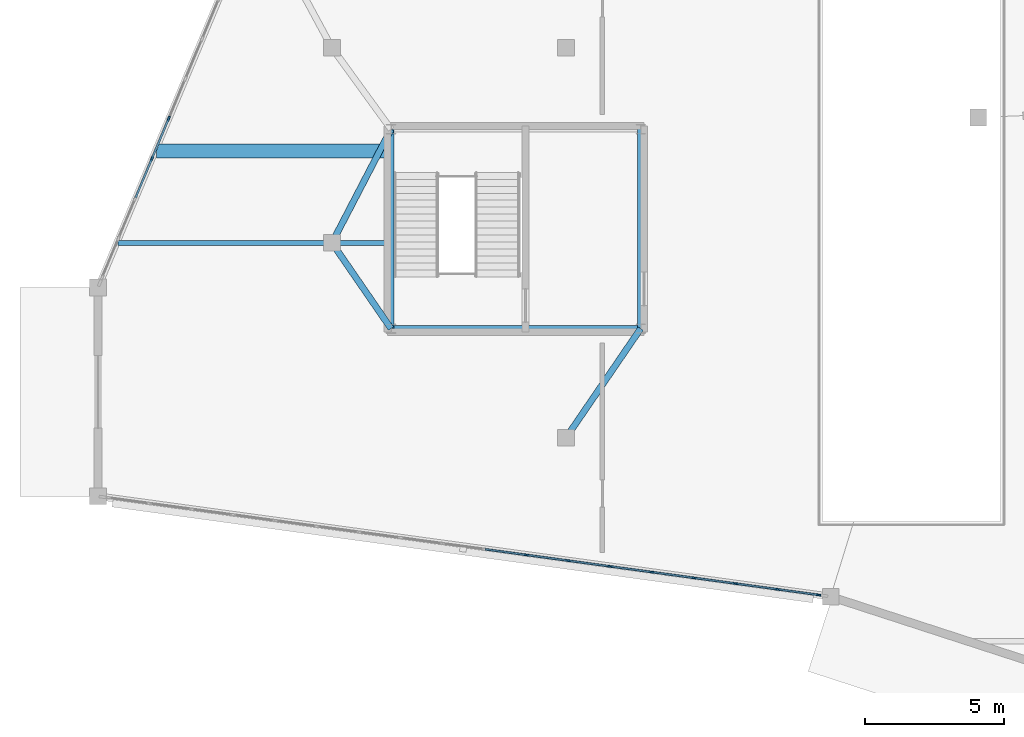
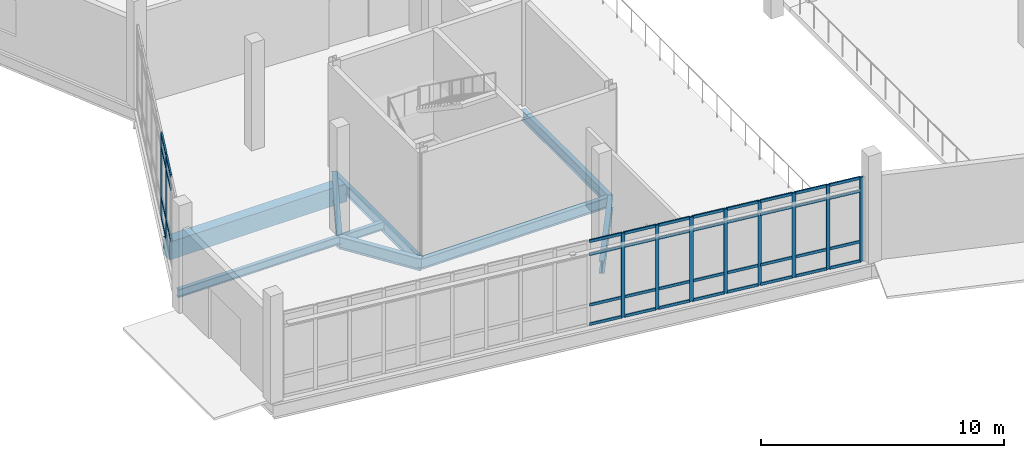
# One storey, part 44 of 113: 49 members, 8 beams, 2 elements without a shape of their own.
"""IFC4 building model written with IfcOpenShell, lengths in metres."""

from ifc_helpers import new_model, si_unit, direction, frame, origin, origin_2d, place, context, subcontext, project, spatial, rectangle, i_section, extrude, material, material_profile, profile_set, type_object, element, aggregate, save


model = new_model("IFC4")

# Units and contexts
model_context = context("Model", 3, precision=1e-05, world=origin(), true_north=direction((0.0, 1.0)))
body_context = subcontext(model_context, "Body", "Model", "MODEL_VIEW")
ifc_project = project(units=[si_unit("LENGTHUNIT", "METRE"), si_unit("AREAUNIT", "SQUARE_METRE"), si_unit("VOLUMEUNIT", "CUBIC_METRE"), si_unit("PLANEANGLEUNIT", "RADIAN"), si_unit("MASSUNIT", "GRAM", prefix="KILO")], contexts=[model_context])

# Site, building, storey
site_placement = place(None, origin())
site = spatial("IfcSite", under=ifc_project, at=site_placement, CompositionType="ELEMENT")
building_placement = place(site_placement, origin())
building = spatial("IfcBuilding", under=site, at=building_placement, Name="Tameran Prism Museum", CompositionType="ELEMENT")
storey_placement = place(building_placement, origin())
storey = spatial("IfcBuildingStorey", under=building, at=storey_placement, Name="L00", CompositionType="ELEMENT", Elevation=0.0)

# Beams
ifc_material_1 = material(Name="Steel Grade 300PLUS (300 MPa)", Category="steel")
ifc_material_profile_1 = material_profile(ifc_material_1, i_section(OverallWidth=0.177978515625, OverallDepth=0.406005859375, WebThickness=0.0078125, FlangeThickness=0.0126953125, FilletRadius=0.011474609375, at=origin_2d()))
ifc_profile_set_1 = profile_set([ifc_material_profile_1])
beam_type_1 = type_object("IfcBeamType", Name="BM-J410A", PredefinedType="JOIST", material=ifc_profile_set_1)
beam_1_placement = place(storey_placement, frame((0.714111328125, 77.0, -0.462890625), z_axis=(1.0, 0.0, 0.0), x_axis=(0.0, 1.0, 0.0)))
element("IfcBeam", 1, at=beam_1_placement, inside=storey, type_object=beam_type_1, Name="Floor Beam BM-0305", PredefinedType="JOIST", context=body_context, shape_type="SweptSolid", body=[
    extrude(i_section(OverallWidth=0.177978515625, OverallDepth=0.406005859375, WebThickness=0.0078125, FlangeThickness=0.0126953125, FilletRadius=0.011474609375, at=origin_2d()), origin(), (0.0, 0.0, 1.0), 9.805908203125),
])
ifc_material_2 = material(Name="Concrete N40 (40 MPa)", Category="concrete")
ifc_material_profile_2 = material_profile(ifc_material_2, rectangle(XDim=0.5, YDim=0.89990234375, at=origin_2d()))
ifc_profile_set_2 = profile_set([ifc_material_profile_2])
beam_type_2 = type_object("IfcBeamType", Name="BM-RC900", PredefinedType="BEAM", material=ifc_profile_set_2)
beam_2_placement = place(storey_placement, frame((2.096923828125, 80.300048828125, -0.7099609375), z_axis=(1.0, 0.0, 0.0), x_axis=(0.0, 1.0, 0.0)))
element("IfcBeam", 2, at=beam_2_placement, inside=storey, type_object=beam_type_2, Name="Floor Beam BM-0307", PredefinedType="BEAM", context=body_context, shape_type="SweptSolid", body=[
    extrude(rectangle(XDim=0.5, YDim=0.89990234375, at=origin_2d()), origin(), (0.0, 0.0, 1.0), 8.423095703125),
])
ifc_material_3 = material(Name="Steel Grade 300PLUS (300 MPa)", Category="steel")
ifc_material_profile_3 = material_profile(ifc_material_3, i_section(OverallWidth=0.208984375, OverallDepth=0.528076171875, WebThickness=0.009521484375, FlangeThickness=0.01318359375, FilletRadius=0.013916015625, at=origin_2d()))
ifc_profile_set_3 = profile_set([ifc_material_profile_3])
beam_type_3 = type_object("IfcBeamType", Name="BM-SP530B", PredefinedType="SPANDREL", material=ifc_profile_set_3)
beam_3_placement = place(storey_placement, frame((10.52001953125, 73.919921875, -0.52392578125), z_axis=(1.0, 0.0, 0.0), x_axis=(0.0, 1.0, 0.0)))
element("IfcBeam", 3, at=beam_3_placement, inside=storey, type_object=beam_type_3, Name="Core Ring Beam CTB-0134", PredefinedType="SPANDREL", context=body_context, shape_type="SweptSolid", body=[
    extrude(i_section(OverallWidth=0.208984375, OverallDepth=0.528076171875, WebThickness=0.009521484375, FlangeThickness=0.01318359375, FilletRadius=0.013916015625, at=origin_2d()), origin(), (0.0, 0.0, 1.0), 8.9599609375),
])
for number, where, z_axis, x_axis, name in (
    (4, (19.47998046875, 73.919921875, -0.52392578125), (0.0, 1.0, 0.0), (-1.0, 0.0, 0.0), "Core Ring Beam CTB-0135"),
    (5, (10.52001953125, 81.080078125, -0.52392578125), (0.0, -1.0, 0.0), (1.0, 0.0, 0.0), "Core Ring Beam CTB-0137"),
):
    element("IfcBeam", number, at=place(storey_placement, frame(where, z_axis=z_axis, x_axis=x_axis)), inside=storey, type_object=beam_type_3, Name=name, PredefinedType="SPANDREL", context=body_context, shape_type="SweptSolid", body=[
        extrude(i_section(OverallWidth=0.208984375, OverallDepth=0.528076171875, WebThickness=0.009521484375, FlangeThickness=0.01318359375, FilletRadius=0.013916015625, at=origin_2d()), origin(), (0.0, 0.0, 1.0), 7.16015625),
    ])
ifc_material_4 = material(Name="Steel Grade 300PLUS (300 MPa)", Category="steel")
ifc_material_profile_4 = material_profile(ifc_material_4, i_section(OverallWidth=0.22900390625, OverallDepth=0.612060546875, WebThickness=0.011962890625, FlangeThickness=0.01953125, FilletRadius=0.013916015625, at=origin_2d()))
ifc_profile_set_4 = profile_set([ifc_material_profile_4])
beam_type_4 = type_object("IfcBeamType", Name="BM-UB610A", PredefinedType="BEAM", material=ifc_profile_set_4)
beam_4_placement = place(storey_placement, frame((8.39990234375, 77.0, -0.56591796875), z_axis=(0.566994261507, -0.823721741499, 0.0), x_axis=(0.823721741499, 0.566994261507, 0.0)))
element("IfcBeam", 6, at=beam_4_placement, inside=storey, type_object=beam_type_4, Name="Frame Tie Girder FG-1343", PredefinedType="BEAM", context=body_context, shape_type="SweptSolid", body=[
    extrude(i_section(OverallWidth=0.22900390625, OverallDepth=0.612060546875, WebThickness=0.011962890625, FlangeThickness=0.01953125, FilletRadius=0.013916015625, at=origin_2d()), origin(), (0.0, 0.0, 1.0), 3.7392578125),
])
beam_5_placement = place(storey_placement, frame((8.39990234375, 77.0, -0.56591796875), z_axis=(0.461091914182, 0.887352380217, 0.0), x_axis=(-0.887352380217, 0.461091914182, 0.0)))
element("IfcBeam", 7, at=beam_5_placement, inside=storey, type_object=beam_type_4, Name="Frame Tie Girder FG-1344", PredefinedType="BEAM", context=body_context, shape_type="SweptSolid", body=[
    extrude(i_section(OverallWidth=0.22900390625, OverallDepth=0.612060546875, WebThickness=0.011962890625, FlangeThickness=0.01953125, FilletRadius=0.013916015625, at=origin_2d()), origin(), (0.0, 0.0, 1.0), 4.59814453125),
])
beam_6_placement = place(storey_placement, frame((16.800048828125, 70.0, -0.56591796875), z_axis=(0.564379754133, 0.825515289456, 0.0), x_axis=(-0.825515289456, 0.564379754133, 0.0)))
element("IfcBeam", 8, at=beam_6_placement, inside=storey, type_object=beam_type_4, Name="Frame Tie Girder FG-1355", PredefinedType="BEAM", context=body_context, shape_type="SweptSolid", body=[
    extrude(i_section(OverallWidth=0.22900390625, OverallDepth=0.612060546875, WebThickness=0.011962890625, FlangeThickness=0.01953125, FilletRadius=0.013916015625, at=origin_2d()), origin(), (0.0, 0.0, 1.0), 4.74853515625),
])

# Curtain wall, members
ifc_material_5 = material(Name="Anodised Aluminium 6063-T6 and Cyclone Solar Glass", Category="aluminium")
curtain_wall_type_1 = type_object("IfcCurtainWallType", Name="CW-FAC-2579x422", PredefinedType="USERDEFINED", material=ifc_material_5)
curtain_wall_1_placement = place(storey_placement, origin())
curtain_wall_1 = element("IfcCurtainWall", 9, at=curtain_wall_1_placement, inside=storey, type_object=curtain_wall_type_1, Name="Unitised Curtain Wall CW-051", ObjectType="UNITISED CURTAIN WALL", PredefinedType="USERDEFINED")
ifc_material_6 = material(Name="Anodised Aluminium Alloy 6063-T6", Category="aluminium")
ifc_material_profile_5 = material_profile(ifc_material_6, rectangle(XDim=0.06494140625, YDim=0.159912109375, at=origin_2d()))
ifc_profile_set_5 = profile_set([ifc_material_profile_5])
member_type_1 = type_object("IfcMemberType", Name="CW-MUL-A", PredefinedType="MULLION", material=ifc_profile_set_5)
member_1_placement = place(storey_placement, frame((25.86181640625, 64.359375, 0.0), z_axis=(0.0, 0.0, 1.0), x_axis=(-0.135658330466, -0.990755679961, 0.0)))
member_1 = element("IfcMember", 10, at=member_1_placement, type_object=member_type_1, Name="CW-051 mullion 1", PredefinedType="MULLION", context=body_context, shape_type="SweptSolid", body=[
    extrude(rectangle(XDim=0.06494140625, YDim=0.159912109375, at=origin_2d()), origin(), (0.0, 0.0, 1.0), 4.219970703125),
])
member_2_placement = place(storey_placement, frame((24.39111328125, 64.560791015625, 0.0), z_axis=(0.0, 0.0, 1.0), x_axis=(-0.135658330466, -0.990755679961, 0.0)))
member_2 = element("IfcMember", 11, at=member_2_placement, type_object=member_type_1, Name="CW-051 mullion 2", PredefinedType="MULLION", context=body_context, shape_type="SweptSolid", body=[
    extrude(rectangle(XDim=0.06494140625, YDim=0.159912109375, at=origin_2d()), origin(), (0.0, 0.0, 1.0), 4.219970703125),
])
member_3_placement = place(storey_placement, frame((22.888427734375, 64.7666015625, 0.0), z_axis=(0.0, 0.0, 1.0), x_axis=(-0.135658330466, -0.990755679961, 0.0)))
member_3 = element("IfcMember", 12, at=member_3_placement, type_object=member_type_1, Name="CW-051 mullion 3", PredefinedType="MULLION", context=body_context, shape_type="SweptSolid", body=[
    extrude(rectangle(XDim=0.06494140625, YDim=0.159912109375, at=origin_2d()), origin(), (0.0, 0.0, 1.0), 4.219970703125),
])
member_4_placement = place(storey_placement, frame((21.3857421875, 64.972412109375, 0.0), z_axis=(0.0, 0.0, 1.0), x_axis=(-0.135658330466, -0.990755679961, 0.0)))
member_4 = element("IfcMember", 13, at=member_4_placement, type_object=member_type_1, Name="CW-051 mullion 4", PredefinedType="MULLION", context=body_context, shape_type="SweptSolid", body=[
    extrude(rectangle(XDim=0.06494140625, YDim=0.159912109375, at=origin_2d()), origin(), (0.0, 0.0, 1.0), 4.219970703125),
])
member_5_placement = place(storey_placement, frame((19.883056640625, 65.177978515625, 0.0), z_axis=(0.0, 0.0, 1.0), x_axis=(-0.135658330466, -0.990755679961, 0.0)))
member_5 = element("IfcMember", 14, at=member_5_placement, type_object=member_type_1, Name="CW-051 mullion 5", PredefinedType="MULLION", context=body_context, shape_type="SweptSolid", body=[
    extrude(rectangle(XDim=0.06494140625, YDim=0.159912109375, at=origin_2d()), origin(), (0.0, 0.0, 1.0), 4.219970703125),
])
member_6_placement = place(storey_placement, frame((18.380126953125, 65.3837890625, 0.0), z_axis=(0.0, 0.0, 1.0), x_axis=(-0.135658330466, -0.990755679961, 0.0)))
member_6 = element("IfcMember", 15, at=member_6_placement, type_object=member_type_1, Name="CW-051 mullion 6", PredefinedType="MULLION", context=body_context, shape_type="SweptSolid", body=[
    extrude(rectangle(XDim=0.06494140625, YDim=0.159912109375, at=origin_2d()), origin(), (0.0, 0.0, 1.0), 4.219970703125),
])
member_7_placement = place(storey_placement, frame((16.87744140625, 65.589599609375, 0.0), z_axis=(0.0, 0.0, 1.0), x_axis=(-0.135658330466, -0.990755679961, 0.0)))
member_7 = element("IfcMember", 16, at=member_7_placement, type_object=member_type_1, Name="CW-051 mullion 7", PredefinedType="MULLION", context=body_context, shape_type="SweptSolid", body=[
    extrude(rectangle(XDim=0.06494140625, YDim=0.159912109375, at=origin_2d()), origin(), (0.0, 0.0, 1.0), 4.219970703125),
])
member_8_placement = place(storey_placement, frame((15.374755859375, 65.79541015625, 0.0), z_axis=(0.0, 0.0, 1.0), x_axis=(-0.135658330466, -0.990755679961, 0.0)))
member_8 = element("IfcMember", 17, at=member_8_placement, type_object=member_type_1, Name="CW-051 mullion 8", PredefinedType="MULLION", context=body_context, shape_type="SweptSolid", body=[
    extrude(rectangle(XDim=0.06494140625, YDim=0.159912109375, at=origin_2d()), origin(), (0.0, 0.0, 1.0), 4.219970703125),
])

ifc_material_7 = material(Name="Anodised Aluminium 6063-T6 and Cyclone Solar Glass", Category="aluminium")
curtain_wall_type_2 = type_object("IfcCurtainWallType", Name="CW-FAC-1399x422", PredefinedType="USERDEFINED", material=ifc_material_7)
curtain_wall_2_placement = place(storey_placement, origin())
curtain_wall_2 = element("IfcCurtainWall", 18, at=curtain_wall_2_placement, inside=storey, type_object=curtain_wall_type_2, Name="Unitised Curtain Wall CW-052", ObjectType="UNITISED CURTAIN WALL", PredefinedType="USERDEFINED")
ifc_material_8 = material(Name="Anodised Aluminium Alloy 6063-T6", Category="aluminium")
ifc_material_profile_6 = material_profile(ifc_material_8, rectangle(XDim=0.070068359375, YDim=0.179931640625, at=origin_2d()))
ifc_profile_set_6 = profile_set([ifc_material_profile_6])
member_type_2 = type_object("IfcMemberType", Name="CW-MUL-B", PredefinedType="MULLION", material=ifc_profile_set_6)
member_9_placement = place(storey_placement, frame((1.937255859375, 80.022705078125, 0.0), z_axis=(0.0, 0.0, 1.0), x_axis=(-0.922251949595, 0.386589370609, 0.0)))
member_9 = element("IfcMember", 19, at=member_9_placement, type_object=member_type_2, Name="CW-052 mullion 4", PredefinedType="MULLION", context=body_context, shape_type="SweptSolid", body=[
    extrude(rectangle(XDim=0.070068359375, YDim=0.179931640625, at=origin_2d()), origin(), (0.0, 0.0, 1.0), 4.219970703125),
])
member_10_placement = place(storey_placement, frame((2.5380859375, 81.455810546875, 0.0), z_axis=(0.0, 0.0, 1.0), x_axis=(-0.922251949595, 0.386589370609, 0.0)))
member_10 = element("IfcMember", 20, at=member_10_placement, type_object=member_type_2, Name="CW-052 mullion 5", PredefinedType="MULLION", context=body_context, shape_type="SweptSolid", body=[
    extrude(rectangle(XDim=0.070068359375, YDim=0.179931640625, at=origin_2d()), origin(), (0.0, 0.0, 1.0), 4.219970703125),
])

# Member
ifc_material_9 = material(Name="Anodised Aluminium Alloy 6063-T6", Category="aluminium")
ifc_material_profile_7 = material_profile(ifc_material_9, rectangle(XDim=0.06494140625, YDim=0.139892578125, at=origin_2d()))
ifc_profile_set_7 = profile_set([ifc_material_profile_7])
member_type_3 = type_object("IfcMemberType", Name="CW-TRN-A", PredefinedType="USERDEFINED", material=ifc_profile_set_7)
member_11_placement = place(storey_placement, frame((25.82958984375, 64.36376953125, 0.032470703125), z_axis=(-0.990748345882, 0.135711882795, 0.0), x_axis=(-0.135711882795, -0.990748345882, 0.0)))
member_11 = element("IfcMember", 21, at=member_11_placement, type_object=member_type_3, Name="CW-051 transom 1.1", ObjectType="TRANSOM", PredefinedType="USERDEFINED", context=body_context, shape_type="SweptSolid", body=[
    extrude(rectangle(XDim=0.06494140625, YDim=0.139892578125, at=origin_2d()), origin(), (0.0, 0.0, 1.0), 1.41943359375),
])

member_12_placement = place(storey_placement, frame((25.82958984375, 64.36376953125, 1.0), z_axis=(-0.990748345882, 0.135711882795, 0.0), x_axis=(-0.135711882795, -0.990748345882, 0.0)))
member_12 = element("IfcMember", 22, at=member_12_placement, type_object=member_type_3, Name="CW-051 transom 1.2", ObjectType="TRANSOM", PredefinedType="USERDEFINED", context=body_context, shape_type="SweptSolid", body=[
    extrude(rectangle(XDim=0.06494140625, YDim=0.139892578125, at=origin_2d()), origin(), (0.0, 0.0, 1.0), 1.41943359375),
])

member_13_placement = place(storey_placement, frame((25.82958984375, 64.36376953125, 3.5400390625), z_axis=(-0.990748345882, 0.135711882795, 0.0), x_axis=(-0.135711882795, -0.990748345882, 0.0)))
member_13 = element("IfcMember", 23, at=member_13_placement, type_object=member_type_3, Name="CW-051 transom 1.3", ObjectType="TRANSOM", PredefinedType="USERDEFINED", context=body_context, shape_type="SweptSolid", body=[
    extrude(rectangle(XDim=0.06494140625, YDim=0.139892578125, at=origin_2d()), origin(), (0.0, 0.0, 1.0), 1.41943359375),
])

member_14_placement = place(storey_placement, frame((25.82958984375, 64.36376953125, 4.1875), z_axis=(-0.990748345882, 0.135711882795, 0.0), x_axis=(-0.135711882795, -0.990748345882, 0.0)))
member_14 = element("IfcMember", 24, at=member_14_placement, type_object=member_type_3, Name="CW-051 transom 1.4", ObjectType="TRANSOM", PredefinedType="USERDEFINED", context=body_context, shape_type="SweptSolid", body=[
    extrude(rectangle(XDim=0.06494140625, YDim=0.139892578125, at=origin_2d()), origin(), (0.0, 0.0, 1.0), 1.41943359375),
])

member_15_placement = place(storey_placement, frame((24.359130859375, 64.565185546875, 0.032470703125), z_axis=(-0.990750182778, 0.135698472081, 0.0), x_axis=(-0.135698472081, -0.990750182778, 0.0)))
member_15 = element("IfcMember", 25, at=member_15_placement, type_object=member_type_3, Name="CW-051 transom 2.1", ObjectType="TRANSOM", PredefinedType="USERDEFINED", context=body_context, shape_type="SweptSolid", body=[
    extrude(rectangle(XDim=0.06494140625, YDim=0.139892578125, at=origin_2d()), origin(), (0.0, 0.0, 1.0), 1.451904296875),
])

member_16_placement = place(storey_placement, frame((24.359130859375, 64.565185546875, 1.0), z_axis=(-0.990750182778, 0.135698472081, 0.0), x_axis=(-0.135698472081, -0.990750182778, 0.0)))
member_16 = element("IfcMember", 26, at=member_16_placement, type_object=member_type_3, Name="CW-051 transom 2.2", ObjectType="TRANSOM", PredefinedType="USERDEFINED", context=body_context, shape_type="SweptSolid", body=[
    extrude(rectangle(XDim=0.06494140625, YDim=0.139892578125, at=origin_2d()), origin(), (0.0, 0.0, 1.0), 1.451904296875),
])

member_17_placement = place(storey_placement, frame((24.359130859375, 64.565185546875, 3.5400390625), z_axis=(-0.990750182778, 0.135698472081, 0.0), x_axis=(-0.135698472081, -0.990750182778, 0.0)))
member_17 = element("IfcMember", 27, at=member_17_placement, type_object=member_type_3, Name="CW-051 transom 2.3", ObjectType="TRANSOM", PredefinedType="USERDEFINED", context=body_context, shape_type="SweptSolid", body=[
    extrude(rectangle(XDim=0.06494140625, YDim=0.139892578125, at=origin_2d()), origin(), (0.0, 0.0, 1.0), 1.451904296875),
])

member_18_placement = place(storey_placement, frame((24.359130859375, 64.565185546875, 4.1875), z_axis=(-0.990750182778, 0.135698472081, 0.0), x_axis=(-0.135698472081, -0.990750182778, 0.0)))
member_18 = element("IfcMember", 28, at=member_18_placement, type_object=member_type_3, Name="CW-051 transom 2.4", ObjectType="TRANSOM", PredefinedType="USERDEFINED", context=body_context, shape_type="SweptSolid", body=[
    extrude(rectangle(XDim=0.06494140625, YDim=0.139892578125, at=origin_2d()), origin(), (0.0, 0.0, 1.0), 1.451904296875),
])

member_19_placement = place(storey_placement, frame((22.856201171875, 64.77099609375, 0.032470703125), z_axis=(-0.990769686746, 0.135555995165, 0.0), x_axis=(-0.135555995165, -0.990769686746, 0.0)))
member_19 = element("IfcMember", 29, at=member_19_placement, type_object=member_type_3, Name="CW-051 transom 3.1", ObjectType="TRANSOM", PredefinedType="USERDEFINED", context=body_context, shape_type="SweptSolid", body=[
    extrude(rectangle(XDim=0.06494140625, YDim=0.139892578125, at=origin_2d()), origin(), (0.0, 0.0, 1.0), 1.45166015625),
])

member_20_placement = place(storey_placement, frame((22.856201171875, 64.77099609375, 1.0), z_axis=(-0.990769686746, 0.135555995165, 0.0), x_axis=(-0.135555995165, -0.990769686746, 0.0)))
member_20 = element("IfcMember", 30, at=member_20_placement, type_object=member_type_3, Name="CW-051 transom 3.2", ObjectType="TRANSOM", PredefinedType="USERDEFINED", context=body_context, shape_type="SweptSolid", body=[
    extrude(rectangle(XDim=0.06494140625, YDim=0.139892578125, at=origin_2d()), origin(), (0.0, 0.0, 1.0), 1.45166015625),
])

member_21_placement = place(storey_placement, frame((22.856201171875, 64.77099609375, 3.5400390625), z_axis=(-0.990769686746, 0.135555995165, 0.0), x_axis=(-0.135555995165, -0.990769686746, 0.0)))
member_21 = element("IfcMember", 31, at=member_21_placement, type_object=member_type_3, Name="CW-051 transom 3.3", ObjectType="TRANSOM", PredefinedType="USERDEFINED", context=body_context, shape_type="SweptSolid", body=[
    extrude(rectangle(XDim=0.06494140625, YDim=0.139892578125, at=origin_2d()), origin(), (0.0, 0.0, 1.0), 1.45166015625),
])

member_22_placement = place(storey_placement, frame((22.856201171875, 64.77099609375, 4.1875), z_axis=(-0.990769686746, 0.135555995165, 0.0), x_axis=(-0.135555995165, -0.990769686746, 0.0)))
member_22 = element("IfcMember", 32, at=member_22_placement, type_object=member_type_3, Name="CW-051 transom 3.4", ObjectType="TRANSOM", PredefinedType="USERDEFINED", context=body_context, shape_type="SweptSolid", body=[
    extrude(rectangle(XDim=0.06494140625, YDim=0.139892578125, at=origin_2d()), origin(), (0.0, 0.0, 1.0), 1.45166015625),
])

member_23_placement = place(storey_placement, frame((21.353515625, 64.976806640625, 0.032470703125), z_axis=(-0.99077277642, 0.135533411031, 0.0), x_axis=(-0.135533411031, -0.99077277642, 0.0)))
member_23 = element("IfcMember", 33, at=member_23_placement, type_object=member_type_3, Name="CW-051 transom 4.1", ObjectType="TRANSOM", PredefinedType="USERDEFINED", context=body_context, shape_type="SweptSolid", body=[
    extrude(rectangle(XDim=0.06494140625, YDim=0.139892578125, at=origin_2d()), origin(), (0.0, 0.0, 1.0), 1.451904296875),
])

member_24_placement = place(storey_placement, frame((21.353515625, 64.976806640625, 1.0), z_axis=(-0.99077277642, 0.135533411031, 0.0), x_axis=(-0.135533411031, -0.99077277642, 0.0)))
member_24 = element("IfcMember", 34, at=member_24_placement, type_object=member_type_3, Name="CW-051 transom 4.2", ObjectType="TRANSOM", PredefinedType="USERDEFINED", context=body_context, shape_type="SweptSolid", body=[
    extrude(rectangle(XDim=0.06494140625, YDim=0.139892578125, at=origin_2d()), origin(), (0.0, 0.0, 1.0), 1.451904296875),
])

member_25_placement = place(storey_placement, frame((21.353515625, 64.976806640625, 3.5400390625), z_axis=(-0.99077277642, 0.135533411031, 0.0), x_axis=(-0.135533411031, -0.99077277642, 0.0)))
member_25 = element("IfcMember", 35, at=member_25_placement, type_object=member_type_3, Name="CW-051 transom 4.3", ObjectType="TRANSOM", PredefinedType="USERDEFINED", context=body_context, shape_type="SweptSolid", body=[
    extrude(rectangle(XDim=0.06494140625, YDim=0.139892578125, at=origin_2d()), origin(), (0.0, 0.0, 1.0), 1.451904296875),
])

member_26_placement = place(storey_placement, frame((21.353515625, 64.976806640625, 4.1875), z_axis=(-0.99077277642, 0.135533411031, 0.0), x_axis=(-0.135533411031, -0.99077277642, 0.0)))
member_26 = element("IfcMember", 36, at=member_26_placement, type_object=member_type_3, Name="CW-051 transom 4.4", ObjectType="TRANSOM", PredefinedType="USERDEFINED", context=body_context, shape_type="SweptSolid", body=[
    extrude(rectangle(XDim=0.06494140625, YDim=0.139892578125, at=origin_2d()), origin(), (0.0, 0.0, 1.0), 1.451904296875),
])

member_27_placement = place(storey_placement, frame((19.850830078125, 65.182373046875, 0.032470703125), z_axis=(-0.990750182778, 0.135698472081, 0.0), x_axis=(-0.135698472081, -0.990750182778, 0.0)))
member_27 = element("IfcMember", 37, at=member_27_placement, type_object=member_type_3, Name="CW-051 transom 5.1", ObjectType="TRANSOM", PredefinedType="USERDEFINED", context=body_context, shape_type="SweptSolid", body=[
    extrude(rectangle(XDim=0.06494140625, YDim=0.139892578125, at=origin_2d()), origin(), (0.0, 0.0, 1.0), 1.451904296875),
])

member_28_placement = place(storey_placement, frame((19.850830078125, 65.182373046875, 1.0), z_axis=(-0.990750182778, 0.135698472081, 0.0), x_axis=(-0.135698472081, -0.990750182778, 0.0)))
member_28 = element("IfcMember", 38, at=member_28_placement, type_object=member_type_3, Name="CW-051 transom 5.2", ObjectType="TRANSOM", PredefinedType="USERDEFINED", context=body_context, shape_type="SweptSolid", body=[
    extrude(rectangle(XDim=0.06494140625, YDim=0.139892578125, at=origin_2d()), origin(), (0.0, 0.0, 1.0), 1.451904296875),
])

member_29_placement = place(storey_placement, frame((19.850830078125, 65.182373046875, 3.5400390625), z_axis=(-0.990750182778, 0.135698472081, 0.0), x_axis=(-0.135698472081, -0.990750182778, 0.0)))
member_29 = element("IfcMember", 39, at=member_29_placement, type_object=member_type_3, Name="CW-051 transom 5.3", ObjectType="TRANSOM", PredefinedType="USERDEFINED", context=body_context, shape_type="SweptSolid", body=[
    extrude(rectangle(XDim=0.06494140625, YDim=0.139892578125, at=origin_2d()), origin(), (0.0, 0.0, 1.0), 1.451904296875),
])

member_30_placement = place(storey_placement, frame((19.850830078125, 65.182373046875, 4.1875), z_axis=(-0.990750182778, 0.135698472081, 0.0), x_axis=(-0.135698472081, -0.990750182778, 0.0)))
member_30 = element("IfcMember", 40, at=member_30_placement, type_object=member_type_3, Name="CW-051 transom 5.4", ObjectType="TRANSOM", PredefinedType="USERDEFINED", context=body_context, shape_type="SweptSolid", body=[
    extrude(rectangle(XDim=0.06494140625, YDim=0.139892578125, at=origin_2d()), origin(), (0.0, 0.0, 1.0), 1.451904296875),
])

member_31_placement = place(storey_placement, frame((18.347900390625, 65.38818359375, 0.032470703125), z_axis=(-0.990747085645, 0.135721082688, 0.0), x_axis=(-0.135721082688, -0.990747085645, 0.0)))
member_31 = element("IfcMember", 41, at=member_31_placement, type_object=member_type_3, Name="CW-051 transom 6.1", ObjectType="TRANSOM", PredefinedType="USERDEFINED", context=body_context, shape_type="SweptSolid", body=[
    extrude(rectangle(XDim=0.06494140625, YDim=0.139892578125, at=origin_2d()), origin(), (0.0, 0.0, 1.0), 1.45166015625),
])

member_32_placement = place(storey_placement, frame((18.347900390625, 65.38818359375, 1.0), z_axis=(-0.990747085645, 0.135721082688, 0.0), x_axis=(-0.135721082688, -0.990747085645, 0.0)))
member_32 = element("IfcMember", 42, at=member_32_placement, type_object=member_type_3, Name="CW-051 transom 6.2", ObjectType="TRANSOM", PredefinedType="USERDEFINED", context=body_context, shape_type="SweptSolid", body=[
    extrude(rectangle(XDim=0.06494140625, YDim=0.139892578125, at=origin_2d()), origin(), (0.0, 0.0, 1.0), 1.45166015625),
])

member_33_placement = place(storey_placement, frame((18.347900390625, 65.38818359375, 3.5400390625), z_axis=(-0.990747085645, 0.135721082688, 0.0), x_axis=(-0.135721082688, -0.990747085645, 0.0)))
member_33 = element("IfcMember", 43, at=member_33_placement, type_object=member_type_3, Name="CW-051 transom 6.3", ObjectType="TRANSOM", PredefinedType="USERDEFINED", context=body_context, shape_type="SweptSolid", body=[
    extrude(rectangle(XDim=0.06494140625, YDim=0.139892578125, at=origin_2d()), origin(), (0.0, 0.0, 1.0), 1.45166015625),
])

member_34_placement = place(storey_placement, frame((18.347900390625, 65.38818359375, 4.1875), z_axis=(-0.990747085645, 0.135721082688, 0.0), x_axis=(-0.135721082688, -0.990747085645, 0.0)))
member_34 = element("IfcMember", 44, at=member_34_placement, type_object=member_type_3, Name="CW-051 transom 6.4", ObjectType="TRANSOM", PredefinedType="USERDEFINED", context=body_context, shape_type="SweptSolid", body=[
    extrude(rectangle(XDim=0.06494140625, YDim=0.139892578125, at=origin_2d()), origin(), (0.0, 0.0, 1.0), 1.45166015625),
])

member_35_placement = place(storey_placement, frame((16.84521484375, 65.593994140625, 0.032470703125), z_axis=(-0.990750182778, 0.135698472081, 0.0), x_axis=(-0.135698472081, -0.990750182778, 0.0)))
member_35 = element("IfcMember", 45, at=member_35_placement, type_object=member_type_3, Name="CW-051 transom 7.1", ObjectType="TRANSOM", PredefinedType="USERDEFINED", context=body_context, shape_type="SweptSolid", body=[
    extrude(rectangle(XDim=0.06494140625, YDim=0.139892578125, at=origin_2d()), origin(), (0.0, 0.0, 1.0), 1.451904296875),
])

member_36_placement = place(storey_placement, frame((16.84521484375, 65.593994140625, 1.0), z_axis=(-0.990750182778, 0.135698472081, 0.0), x_axis=(-0.135698472081, -0.990750182778, 0.0)))
member_36 = element("IfcMember", 46, at=member_36_placement, type_object=member_type_3, Name="CW-051 transom 7.2", ObjectType="TRANSOM", PredefinedType="USERDEFINED", context=body_context, shape_type="SweptSolid", body=[
    extrude(rectangle(XDim=0.06494140625, YDim=0.139892578125, at=origin_2d()), origin(), (0.0, 0.0, 1.0), 1.451904296875),
])

member_37_placement = place(storey_placement, frame((16.84521484375, 65.593994140625, 3.5400390625), z_axis=(-0.990750182778, 0.135698472081, 0.0), x_axis=(-0.135698472081, -0.990750182778, 0.0)))
member_37 = element("IfcMember", 47, at=member_37_placement, type_object=member_type_3, Name="CW-051 transom 7.3", ObjectType="TRANSOM", PredefinedType="USERDEFINED", context=body_context, shape_type="SweptSolid", body=[
    extrude(rectangle(XDim=0.06494140625, YDim=0.139892578125, at=origin_2d()), origin(), (0.0, 0.0, 1.0), 1.451904296875),
])

member_38_placement = place(storey_placement, frame((16.84521484375, 65.593994140625, 4.1875), z_axis=(-0.990750182778, 0.135698472081, 0.0), x_axis=(-0.135698472081, -0.990750182778, 0.0)))
member_38 = element("IfcMember", 48, at=member_38_placement, type_object=member_type_3, Name="CW-051 transom 7.4", ObjectType="TRANSOM", PredefinedType="USERDEFINED", context=body_context, shape_type="SweptSolid", body=[
    extrude(rectangle(XDim=0.06494140625, YDim=0.139892578125, at=origin_2d()), origin(), (0.0, 0.0, 1.0), 1.451904296875),
])

member_39_placement = place(storey_placement, frame((15.342529296875, 65.7998046875, 0.032470703125), z_axis=(-0.990750182778, 0.135698472081, 0.0), x_axis=(-0.135698472081, -0.990750182778, 0.0)))
member_39 = element("IfcMember", 49, at=member_39_placement, type_object=member_type_3, Name="CW-051 transom 8.1", ObjectType="TRANSOM", PredefinedType="USERDEFINED", context=body_context, shape_type="SweptSolid", body=[
    extrude(rectangle(XDim=0.06494140625, YDim=0.139892578125, at=origin_2d()), origin(), (0.0, 0.0, 1.0), 1.451904296875),
])

member_40_placement = place(storey_placement, frame((15.342529296875, 65.7998046875, 1.0), z_axis=(-0.990750182778, 0.135698472081, 0.0), x_axis=(-0.135698472081, -0.990750182778, 0.0)))
member_40 = element("IfcMember", 50, at=member_40_placement, type_object=member_type_3, Name="CW-051 transom 8.2", ObjectType="TRANSOM", PredefinedType="USERDEFINED", context=body_context, shape_type="SweptSolid", body=[
    extrude(rectangle(XDim=0.06494140625, YDim=0.139892578125, at=origin_2d()), origin(), (0.0, 0.0, 1.0), 1.451904296875),
])

member_41_placement = place(storey_placement, frame((15.342529296875, 65.7998046875, 3.5400390625), z_axis=(-0.990750182778, 0.135698472081, 0.0), x_axis=(-0.135698472081, -0.990750182778, 0.0)))
member_41 = element("IfcMember", 51, at=member_41_placement, type_object=member_type_3, Name="CW-051 transom 8.3", ObjectType="TRANSOM", PredefinedType="USERDEFINED", context=body_context, shape_type="SweptSolid", body=[
    extrude(rectangle(XDim=0.06494140625, YDim=0.139892578125, at=origin_2d()), origin(), (0.0, 0.0, 1.0), 1.451904296875),
])

member_42_placement = place(storey_placement, frame((15.342529296875, 65.7998046875, 4.1875), z_axis=(-0.990750182778, 0.135698472081, 0.0), x_axis=(-0.135698472081, -0.990750182778, 0.0)))
member_42 = element("IfcMember", 52, at=member_42_placement, type_object=member_type_3, Name="CW-051 transom 8.4", ObjectType="TRANSOM", PredefinedType="USERDEFINED", context=body_context, shape_type="SweptSolid", body=[
    extrude(rectangle(XDim=0.06494140625, YDim=0.139892578125, at=origin_2d()), origin(), (0.0, 0.0, 1.0), 1.451904296875),
])

aggregate(curtain_wall_1, [member_1, member_2, member_3, member_4, member_5, member_6, member_7, member_8, member_11, member_12, member_13, member_14, member_15, member_16, member_17, member_18, member_19, member_20, member_21, member_22, member_23, member_24, member_25, member_26, member_27, member_28, member_29, member_30, member_31, member_32, member_33, member_34, member_35, member_36, member_37, member_38, member_39, member_40, member_41, member_42])

ifc_material_10 = material(Name="Anodised Aluminium Alloy 6063-T6", Category="aluminium")
ifc_material_profile_8 = material_profile(ifc_material_10, rectangle(XDim=0.070068359375, YDim=0.155029296875, at=origin_2d()))
ifc_profile_set_8 = profile_set([ifc_material_profile_8])
member_type_4 = type_object("IfcMemberType", Name="CW-TRN-B", PredefinedType="USERDEFINED", material=ifc_profile_set_8)
member_43_placement = place(storey_placement, frame((1.35009765625, 78.621826171875, 1.0), z_axis=(0.386600305056, 0.92224736602, 0.0), x_axis=(-0.92224736602, 0.386600305056, 0.0)))
member_43 = element("IfcMember", 53, at=member_43_placement, type_object=member_type_4, Name="CW-052 transom 3.2", ObjectType="TRANSOM", PredefinedType="USERDEFINED", context=body_context, shape_type="SweptSolid", body=[
    extrude(rectangle(XDim=0.070068359375, YDim=0.155029296875, at=origin_2d()), origin(), (0.0, 0.0, 1.0), 1.484130859375),
])

member_44_placement = place(storey_placement, frame((1.35009765625, 78.621826171875, 3.5400390625), z_axis=(0.386600305056, 0.92224736602, 0.0), x_axis=(-0.92224736602, 0.386600305056, 0.0)))
member_44 = element("IfcMember", 54, at=member_44_placement, type_object=member_type_4, Name="CW-052 transom 3.3", ObjectType="TRANSOM", PredefinedType="USERDEFINED", context=body_context, shape_type="SweptSolid", body=[
    extrude(rectangle(XDim=0.070068359375, YDim=0.155029296875, at=origin_2d()), origin(), (0.0, 0.0, 1.0), 1.484130859375),
])

member_45_placement = place(storey_placement, frame((1.35009765625, 78.621826171875, 4.18505859375), z_axis=(0.386600305056, 0.92224736602, 0.0), x_axis=(-0.92224736602, 0.386600305056, 0.0)))
member_45 = element("IfcMember", 55, at=member_45_placement, type_object=member_type_4, Name="CW-052 transom 3.4", ObjectType="TRANSOM", PredefinedType="USERDEFINED", context=body_context, shape_type="SweptSolid", body=[
    extrude(rectangle(XDim=0.070068359375, YDim=0.155029296875, at=origin_2d()), origin(), (0.0, 0.0, 1.0), 1.484130859375),
])

member_46_placement = place(storey_placement, frame((1.950927734375, 80.054931640625, 0.034912109375), z_axis=(0.386600305056, 0.92224736602, 0.0), x_axis=(-0.92224736602, 0.386600305056, 0.0)))
member_46 = element("IfcMember", 56, at=member_46_placement, type_object=member_type_4, Name="CW-052 transom 4.1", ObjectType="TRANSOM", PredefinedType="USERDEFINED", context=body_context, shape_type="SweptSolid", body=[
    extrude(rectangle(XDim=0.070068359375, YDim=0.155029296875, at=origin_2d()), origin(), (0.0, 0.0, 1.0), 1.484130859375),
])

member_47_placement = place(storey_placement, frame((1.950927734375, 80.054931640625, 1.0), z_axis=(0.386600305056, 0.92224736602, 0.0), x_axis=(-0.92224736602, 0.386600305056, 0.0)))
member_47 = element("IfcMember", 57, at=member_47_placement, type_object=member_type_4, Name="CW-052 transom 4.2", ObjectType="TRANSOM", PredefinedType="USERDEFINED", context=body_context, shape_type="SweptSolid", body=[
    extrude(rectangle(XDim=0.070068359375, YDim=0.155029296875, at=origin_2d()), origin(), (0.0, 0.0, 1.0), 1.484130859375),
])

member_48_placement = place(storey_placement, frame((1.950927734375, 80.054931640625, 3.5400390625), z_axis=(0.386600305056, 0.92224736602, 0.0), x_axis=(-0.92224736602, 0.386600305056, 0.0)))
member_48 = element("IfcMember", 58, at=member_48_placement, type_object=member_type_4, Name="CW-052 transom 4.3", ObjectType="TRANSOM", PredefinedType="USERDEFINED", context=body_context, shape_type="SweptSolid", body=[
    extrude(rectangle(XDim=0.070068359375, YDim=0.155029296875, at=origin_2d()), origin(), (0.0, 0.0, 1.0), 1.484130859375),
])

member_49_placement = place(storey_placement, frame((1.950927734375, 80.054931640625, 4.18505859375), z_axis=(0.386600305056, 0.92224736602, 0.0), x_axis=(-0.92224736602, 0.386600305056, 0.0)))
member_49 = element("IfcMember", 59, at=member_49_placement, type_object=member_type_4, Name="CW-052 transom 4.4", ObjectType="TRANSOM", PredefinedType="USERDEFINED", context=body_context, shape_type="SweptSolid", body=[
    extrude(rectangle(XDim=0.070068359375, YDim=0.155029296875, at=origin_2d()), origin(), (0.0, 0.0, 1.0), 1.484130859375),
])

aggregate(curtain_wall_2, [member_9, member_10, member_43, member_44, member_45, member_46, member_47, member_48, member_49])

save(model, "model.ifc")
